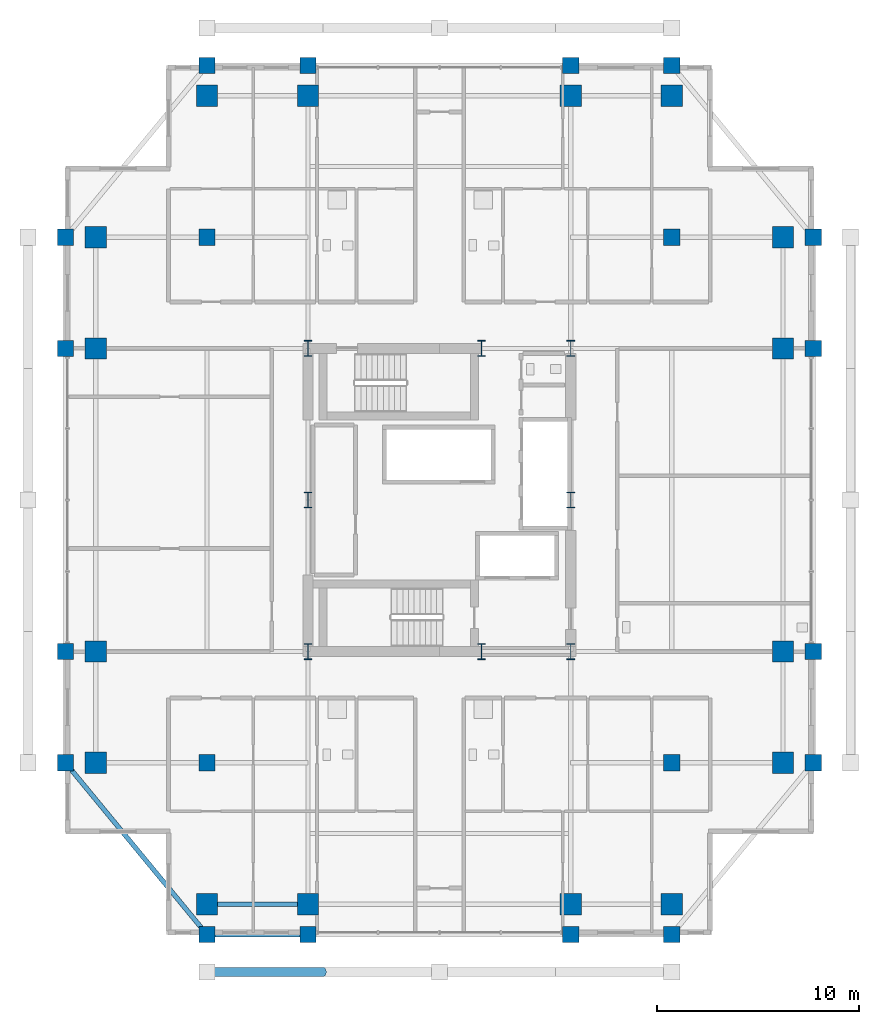
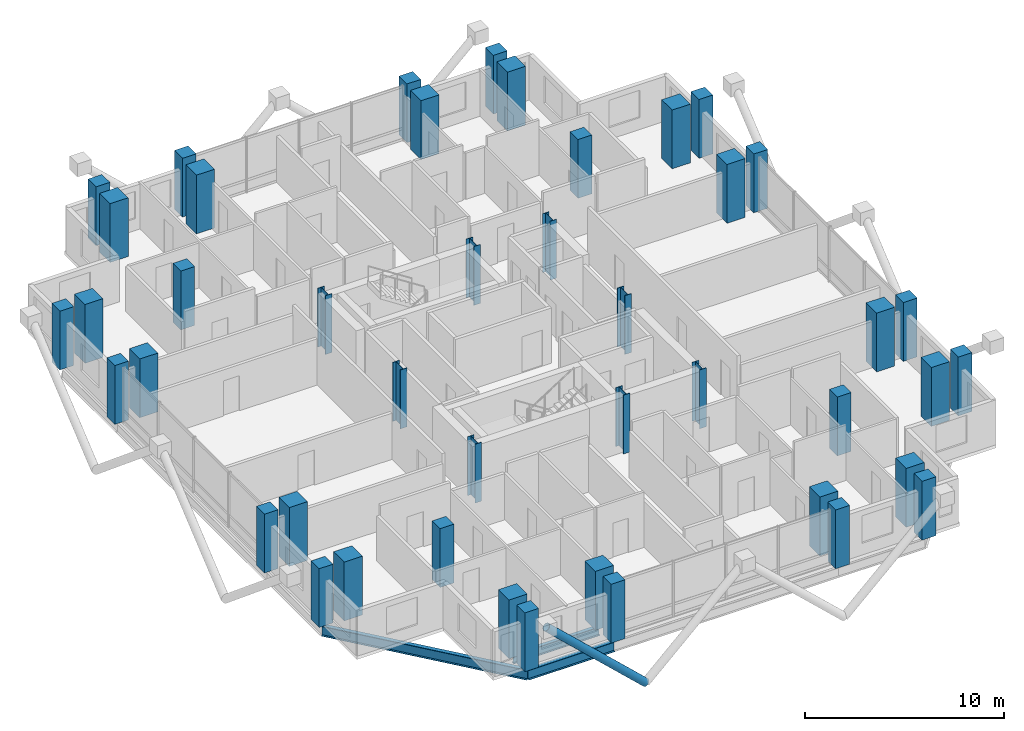
# One storey, part 1 of 24: 44 columns, 3 beams, 1 member.
"""IFC4 building model written with IfcOpenShell, lengths in metres."""

from ifc_helpers import new_model, si_unit, direction, frame, origin, origin_2d, place, context, subcontext, project, spatial, rectangle, hollow_circle, i_section, extrude, material, material_profile, profile_set, type_object, element, save


model = new_model("IFC4")

# Units and contexts
model_context = context("Model", 3, precision=1e-05, world=origin(), true_north=direction((0.0, 1.0)))
body_context = subcontext(model_context, "Body", "Model", "MODEL_VIEW")
ifc_project = project(units=[si_unit("LENGTHUNIT", "METRE"), si_unit("AREAUNIT", "SQUARE_METRE"), si_unit("VOLUMEUNIT", "CUBIC_METRE"), si_unit("PLANEANGLEUNIT", "RADIAN"), si_unit("MASSUNIT", "GRAM", prefix="KILO")], contexts=[model_context])

# Site, building, storey
site_placement = place(None, origin())
site = spatial("IfcSite", under=ifc_project, at=site_placement, CompositionType="ELEMENT")
building_placement = place(site_placement, origin())
building = spatial("IfcBuilding", under=site, at=building_placement, Name="Barlavira Tower and Art Museum", CompositionType="ELEMENT")
storey_placement = place(building_placement, frame((0.0, 0.0, 194.39990234375)))
storey = spatial("IfcBuildingStorey", under=building, at=storey_placement, Name="L50", CompositionType="ELEMENT", Elevation=194.39990234375)

# Columns
ifc_material_1 = material(Name="Steel S355", Category="steel")
ifc_material_profile_1 = material_profile(ifc_material_1, i_section(OverallWidth=0.382080078125, OverallDepth=0.785888671875, WebThickness=0.02001953125, FlangeThickness=0.032958984375, at=origin_2d()), Name="W760x314.0")
ifc_profile_set_1 = profile_set([ifc_material_profile_1], Name="Steel S355")
column_type_1 = type_object("IfcColumnType", Name="Core Composite Column W760x314 Steel S355", PredefinedType="COLUMN", material=ifc_profile_set_1)
for number, where, z_axis, x_axis, name in (
    (1, (-6.5, -7.5, 0.0), (0.0, 0.0, 1.0), (1.0, 0.0, 0.0), "L50 Column CC-L50-C1"),
    (2, (2.080078125, -7.5, 0.0), (0.0, 0.0, 1.0), (1.0, 0.0, 0.0), "L50 Column CC-L50-C2"),
    (3, (6.5, -7.5, 0.0), (0.0, 0.0, 1.0), (1.0, 0.0, 0.0), "L50 Column CC-L50-C3"),
    (4, (-6.5, 0.0, 0.0), (0.0, 0.0, 1.0), (1.0, 0.0, 0.0), "L50 Column CC-L50-C4"),
    (5, (6.5, 0.0, 0.0), (0.0, 0.0, 1.0), (1.0, 0.0, 0.0), "L50 Column CC-L50-C5"),
    (6, (-6.5, 7.5, 0.0), (0.0, 0.0, 1.0), (1.0, 0.0, 0.0), "L50 Column CC-L50-C6"),
    (7, (2.080078125, 7.5, 0.0), (0.0, 0.0, 1.0), (1.0, 0.0, 0.0), "L50 Column CC-L50-C7"),
    (8, (6.5, 7.5, 0.0), (0.0, 0.0, 1.0), (1.0, 0.0, 0.0), "L50 Column CC-L50-C8"),
):
    element("IfcColumn", number, at=place(storey_placement, frame(where, z_axis=z_axis, x_axis=x_axis)), inside=storey, type_object=column_type_1, Name=name, PredefinedType="COLUMN", context=body_context, shape_type="SweptSolid", body=[
        extrude(i_section(OverallWidth=0.382080078125, OverallDepth=0.785888671875, WebThickness=0.02001953125, FlangeThickness=0.032958984375, at=origin_2d()), origin(), (0.0, 0.0, 1.0), 3.60009765625),
    ])
ifc_material_2 = material(Name="Concrete C55", Category="concrete")
ifc_material_profile_2 = material_profile(ifc_material_2, rectangle(XDim=1.050048828125, YDim=1.050048828125, at=origin_2d()), Name="RC-COL 1050x1050")
ifc_profile_set_2 = profile_set([ifc_material_profile_2], Name="Concrete C55")
column_type_2 = type_object("IfcColumnType", Name="Perimeter Mega Column 1050x1050 Concrete C55", PredefinedType="USERDEFINED", material=ifc_profile_set_2)
for number, where, z_axis, x_axis, name in (
    (9, (-11.5, -20.0, 0.0), (0.0, 0.0, 1.0), (1.0, 0.0, 0.0), "L50 Column MC-L50-M01"),
    (10, (-6.5, -20.0, 0.0), (0.0, 0.0, 1.0), (1.0, 0.0, 0.0), "L50 Column MC-L50-M02"),
    (11, (6.5, -20.0, 0.0), (0.0, 0.0, 1.0), (1.0, 0.0, 0.0), "L50 Column MC-L50-M03"),
    (12, (11.5, -20.0, 0.0), (0.0, 0.0, 1.0), (1.0, 0.0, 0.0), "L50 Column MC-L50-M04"),
    (13, (17.0, -13.0, 0.0), (0.0, 0.0, 1.0), (1.0, 0.0, 0.0), "L50 Column MC-L50-M05"),
    (14, (17.0, -7.5, 0.0), (0.0, 0.0, 1.0), (1.0, 0.0, 0.0), "L50 Column MC-L50-M06"),
    (15, (17.0, 7.5, 0.0), (0.0, 0.0, 1.0), (1.0, 0.0, 0.0), "L50 Column MC-L50-M07"),
    (16, (17.0, 13.0, 0.0), (0.0, 0.0, 1.0), (1.0, 0.0, 0.0), "L50 Column MC-L50-M08"),
    (17, (11.5, 20.0, 0.0), (0.0, 0.0, 1.0), (1.0, 0.0, 0.0), "L50 Column MC-L50-M09"),
    (18, (6.5, 20.0, 0.0), (0.0, 0.0, 1.0), (1.0, 0.0, 0.0), "L50 Column MC-L50-M10"),
    (19, (-6.5, 20.0, 0.0), (0.0, 0.0, 1.0), (1.0, 0.0, 0.0), "L50 Column MC-L50-M11"),
    (20, (-11.5, 20.0, 0.0), (0.0, 0.0, 1.0), (1.0, 0.0, 0.0), "L50 Column MC-L50-M12"),
    (21, (-17.0, 13.0, 0.0), (0.0, 0.0, 1.0), (1.0, 0.0, 0.0), "L50 Column MC-L50-M13"),
    (22, (-17.0, 7.5, 0.0), (0.0, 0.0, 1.0), (1.0, 0.0, 0.0), "L50 Column MC-L50-M14"),
    (23, (-17.0, -7.5, 0.0), (0.0, 0.0, 1.0), (1.0, 0.0, 0.0), "L50 Column MC-L50-M15"),
    (24, (-17.0, -13.0, 0.0), (0.0, 0.0, 1.0), (1.0, 0.0, 0.0), "L50 Column MC-L50-M16"),
):
    element("IfcColumn", number, at=place(storey_placement, frame(where, z_axis=z_axis, x_axis=x_axis)), inside=storey, type_object=column_type_2, Name=name, ObjectType="MEGA COLUMN", PredefinedType="USERDEFINED", context=body_context, shape_type="SweptSolid", body=[
        extrude(rectangle(XDim=1.050048828125, YDim=1.050048828125, at=origin_2d()), origin(), (0.0, 0.0, 1.0), 3.60009765625),
    ])
ifc_material_3 = material(Name="Concrete C50", Category="concrete")
ifc_material_profile_3 = material_profile(ifc_material_3, rectangle(XDim=0.800048828125, YDim=0.800048828125, at=origin_2d()), Name="RC-COL 800x800")
ifc_profile_set_3 = profile_set([ifc_material_profile_3], Name="Concrete C50")
column_type_3 = type_object("IfcColumnType", Name="Podium Frame Column 800x800 Concrete C50", PredefinedType="COLUMN", material=ifc_profile_set_3)
for number, where, z_axis, x_axis, name in (
    (25, (-11.5, -13.0, 0.0), (0.0, 0.0, 1.0), (1.0, 0.0, 0.0), "L50 Column CI-L50-I1"),
    (26, (11.5, -13.0, 0.0), (0.0, 0.0, 1.0), (1.0, 0.0, 0.0), "L50 Column CI-L50-I2"),
    (27, (-11.5, 13.0, 0.0), (0.0, 0.0, 1.0), (1.0, 0.0, 0.0), "L50 Column CI-L50-I3"),
    (28, (11.5, 13.0, 0.0), (0.0, 0.0, 1.0), (1.0, 0.0, 0.0), "L50 Column CI-L50-I4"),
    (29, (-11.5, -21.5, 0.0), (0.0, 0.0, 1.0), (1.0, 0.0, 0.0), "L50 Column CZ3-L50-N01"),
    (30, (-6.5, -21.5, 0.0), (0.0, 0.0, 1.0), (1.0, 0.0, 0.0), "L50 Column CZ3-L50-N02"),
    (31, (6.5, -21.5, 0.0), (0.0, 0.0, 1.0), (1.0, 0.0, 0.0), "L50 Column CZ3-L50-N02B"),
    (32, (11.5, -21.5, 0.0), (0.0, 0.0, 1.0), (1.0, 0.0, 0.0), "L50 Column CZ3-L50-N03"),
    (33, (-18.5, -13.0, 0.0), (0.0, 0.0, 1.0), (1.0, 0.0, 0.0), "L50 Column CZ3-L50-N04"),
    (34, (-18.5, -7.5, 0.0), (0.0, 0.0, 1.0), (1.0, 0.0, 0.0), "L50 Column CZ3-L50-N05"),
    (35, (-18.5, 7.5, 0.0), (0.0, 0.0, 1.0), (1.0, 0.0, 0.0), "L50 Column CZ3-L50-N05B"),
    (36, (-18.5, 13.0, 0.0), (0.0, 0.0, 1.0), (1.0, 0.0, 0.0), "L50 Column CZ3-L50-N06"),
    (37, (-11.5, 21.5, 0.0), (0.0, 0.0, 1.0), (1.0, 0.0, 0.0), "L50 Column CZ3-L50-N07"),
    (38, (-6.5, 21.5, 0.0), (0.0, 0.0, 1.0), (1.0, 0.0, 0.0), "L50 Column CZ3-L50-N08"),
    (39, (6.5, 21.5, 0.0), (0.0, 0.0, 1.0), (1.0, 0.0, 0.0), "L50 Column CZ3-L50-N08B"),
    (40, (11.5, 21.5, 0.0), (0.0, 0.0, 1.0), (1.0, 0.0, 0.0), "L50 Column CZ3-L50-N09"),
    (41, (18.5, -13.0, 0.0), (0.0, 0.0, 1.0), (1.0, 0.0, 0.0), "L50 Column CZ3-L50-N10"),
    (42, (18.5, -7.5, 0.0), (0.0, 0.0, 1.0), (1.0, 0.0, 0.0), "L50 Column CZ3-L50-N11"),
    (43, (18.5, 7.5, 0.0), (0.0, 0.0, 1.0), (1.0, 0.0, 0.0), "L50 Column CZ3-L50-N11B"),
    (44, (18.5, 13.0, 0.0), (0.0, 0.0, 1.0), (1.0, 0.0, 0.0), "L50 Column CZ3-L50-N12"),
):
    element("IfcColumn", number, at=place(storey_placement, frame(where, z_axis=z_axis, x_axis=x_axis)), inside=storey, type_object=column_type_3, Name=name, PredefinedType="COLUMN", context=body_context, shape_type="SweptSolid", body=[
        extrude(rectangle(XDim=0.800048828125, YDim=0.800048828125, at=origin_2d()), origin(), (0.0, 0.0, 1.0), 3.60009765625),
    ])

# Member
ifc_material_profile_4 = material_profile(ifc_material_1, hollow_circle(Radius=0.228515625, WallThickness=0.02001953125, at=origin_2d()), Name="CHS 457.0x20.0")
ifc_profile_set_4 = profile_set([ifc_material_profile_4], Name="Steel S355")
member_type = type_object("IfcMemberType", Name="Pale-Metal Exoskeleton Diagrid Tube CHS 457x20 Steel S355", PredefinedType="BRACE", material=ifc_profile_set_4)
member_placement = place(storey_placement, frame((-5.75, -23.35009765625, -1.919921875), z_axis=(-0.728950095515, 0.0, 0.684566839869), x_axis=(0.0, -1.0, 0.0)))
element("IfcMember", 45, at=member_placement, inside=storey, type_object=member_type, Name="L50 Exoskeleton Diagrid Tube S", PredefinedType="BRACE", context=body_context, shape_type="SweptSolid", body=[
    extrude(hollow_circle(Radius=0.228515625, WallThickness=0.02001953125, at=origin_2d()), origin(), (0.0, 0.0, 1.0), 7.887939453125),
])

# Beams
ifc_material_profile_5 = material_profile(ifc_material_1, i_section(OverallWidth=0.22998046875, OverallDepth=0.616943359375, WebThickness=0.01318359375, FlangeThickness=0.022216796875, at=origin_2d()), Name="W610x140.0")
ifc_profile_set_5 = profile_set([ifc_material_profile_5], Name="Steel S355")
beam_type_1 = type_object("IfcBeamType", Name="Upper Shaft Spandrel Edge Beam W610x140 Steel S355", PredefinedType="SPANDREL", material=ifc_profile_set_5)
beam_1_placement = place(storey_placement, frame((-11.5, -21.5, -0.5283203125), z_axis=(1.0, 0.0, 0.0), x_axis=(0.0, 1.0, 0.0)))
element("IfcBeam", 46, at=beam_1_placement, inside=storey, type_object=beam_type_1, Name="L50 Spandrel 1", PredefinedType="SPANDREL", context=body_context, shape_type="SweptSolid", body=[
    extrude(i_section(OverallWidth=0.22998046875, OverallDepth=0.616943359375, WebThickness=0.01318359375, FlangeThickness=0.022216796875, at=origin_2d()), origin(), (0.0, 0.0, 1.0), 5.0),
])
beam_2_placement = place(storey_placement, frame((-18.5, -13.0, -0.5283203125), z_axis=(0.635707252861, -0.771930235617, 0.0), x_axis=(0.771930235617, 0.635707252861, 0.0)))
element("IfcBeam", 47, at=beam_2_placement, inside=storey, type_object=beam_type_1, Name="L50 Spandrel 16", PredefinedType="SPANDREL", context=body_context, shape_type="SweptSolid", body=[
    extrude(i_section(OverallWidth=0.22998046875, OverallDepth=0.616943359375, WebThickness=0.01318359375, FlangeThickness=0.022216796875, at=origin_2d()), origin(), (0.0, 0.0, 1.0), 11.011474609375),
])
ifc_material_profile_6 = material_profile(ifc_material_1, i_section(OverallWidth=0.2109375, OverallDepth=0.5390625, WebThickness=0.01171875, FlangeThickness=0.018798828125, at=origin_2d()), Name="W530x109.0")
ifc_profile_set_6 = profile_set([ifc_material_profile_6], Name="Steel S355")
beam_type_2 = type_object("IfcBeamType", Name="Zone 3-4 Primary Floor Girder W530x109 Steel S355", PredefinedType="BEAM", material=ifc_profile_set_6)
beam_3_placement = place(storey_placement, frame((-11.5, -20.0, -0.489501953125), z_axis=(1.0, 0.0, 0.0), x_axis=(0.0, 1.0, 0.0)))
element("IfcBeam", 48, at=beam_3_placement, inside=storey, type_object=beam_type_2, Name="L50 Girder M-S1", PredefinedType="BEAM", context=body_context, shape_type="SweptSolid", body=[
    extrude(i_section(OverallWidth=0.2109375, OverallDepth=0.5390625, WebThickness=0.01171875, FlangeThickness=0.018798828125, at=origin_2d()), origin(), (0.0, 0.0, 1.0), 5.0),
])

save(model, "model.ifc")
